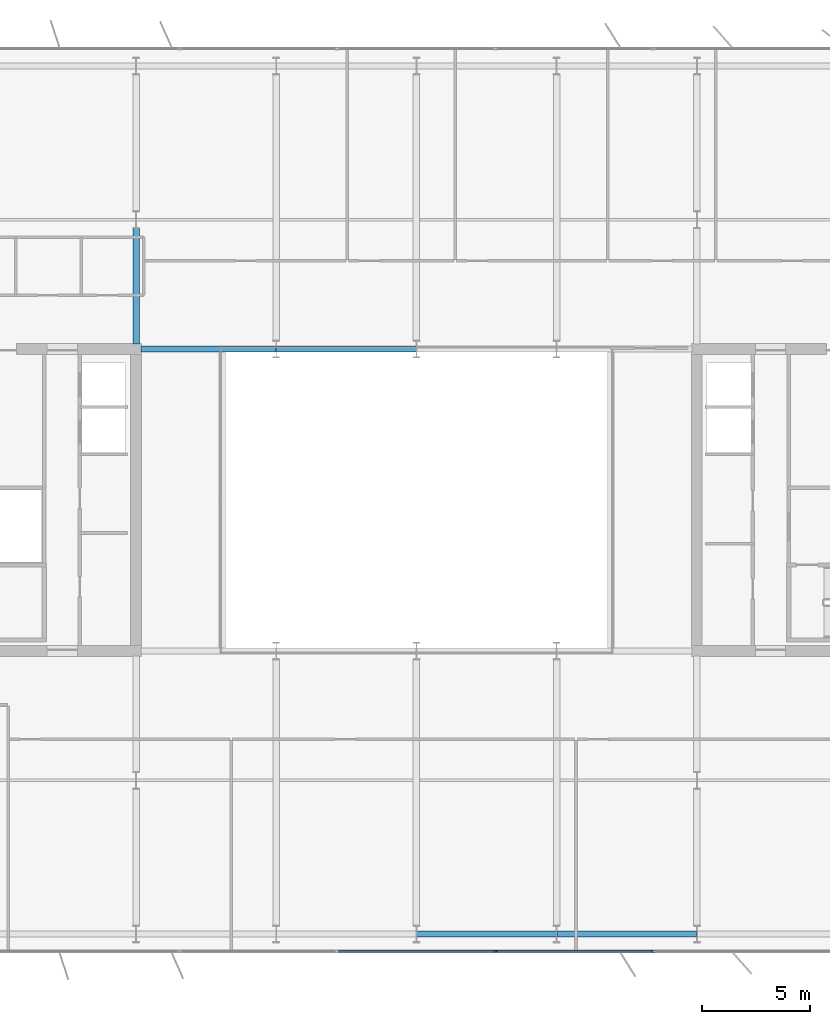
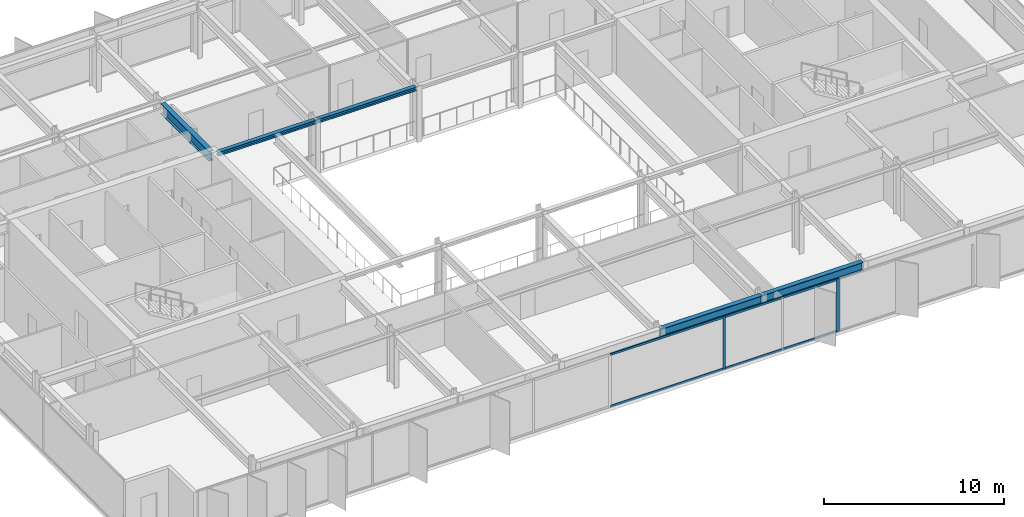
# One storey, part 6 of 23: 6 members, 5 beams, 1 element without a shape of its own.
"""IFC4 building model written with IfcOpenShell, lengths in metres."""

from ifc_helpers import new_model, si_unit, direction, frame, origin, origin_2d, place, context, subcontext, project, spatial, rectangle, i_section, extrude, material, layer, layer_set, material_profile, profile_set, type_object, element, aggregate, save


model = new_model("IFC4")

# Units and contexts
model_context = context("Model", 3, precision=1e-05, world=origin(), true_north=direction((0.0, 1.0)))
body_context = subcontext(model_context, "Body", "Model", "MODEL_VIEW")
ifc_project = project(units=[si_unit("LENGTHUNIT", "METRE"), si_unit("AREAUNIT", "SQUARE_METRE"), si_unit("VOLUMEUNIT", "CUBIC_METRE"), si_unit("PLANEANGLEUNIT", "RADIAN"), si_unit("MASSUNIT", "GRAM", prefix="KILO")], contexts=[model_context])

# Site, building, storey
site_placement = place(None, origin())
site = spatial("IfcSite", under=ifc_project, at=site_placement, CompositionType="ELEMENT")
building_placement = place(site_placement, origin())
building = spatial("IfcBuilding", under=site, at=building_placement, Name="Putna Gate Headquarters", CompositionType="ELEMENT")
storey_placement = place(building_placement, frame((0.0, 0.0, 225.199951171875)))
storey = spatial("IfcBuildingStorey", under=building, at=storey_placement, Name="L56", CompositionType="ELEMENT", Elevation=225.199951171875)

# Beams
ifc_material_1 = material(Name="Steel S355J2", Category="steel")
ifc_material_profile_1 = material_profile(ifc_material_1, i_section(OverallWidth=0.260009765625, OverallDepth=0.260009765625, WebThickness=0.010009765625, FlangeThickness=0.017578125, at=origin_2d()), Name="Steel S355J2")
ifc_profile_set_1 = profile_set([ifc_material_profile_1], Name="Steel S355J2")
beam_type_1 = type_object("IfcBeamType", Name="BM-ATRIUM-HEB260", PredefinedType="BEAM", material=ifc_profile_set_1)
beam_1_placement = place(storey_placement, frame((26.235107421875, 33.0, 3.449951171875), z_axis=(1.0, 0.0, 0.0), x_axis=(0.0, 1.0, 0.0)))
element("IfcBeam", 1, at=beam_1_placement, inside=storey, type_object=beam_type_1, Name="L56 Atrium Edge Beam AN1", PredefinedType="BEAM", context=body_context, shape_type="SweptSolid", body=[
    extrude(i_section(OverallWidth=0.260009765625, OverallDepth=0.260009765625, WebThickness=0.010009765625, FlangeThickness=0.017578125, at=origin_2d()), origin(), (0.0, 0.0, 1.0), 6.2587890625),
])
beam_2_placement = place(storey_placement, frame((32.506103515625, 33.0, 3.449951171875), z_axis=(1.0, 0.0, 0.0), x_axis=(0.0, 1.0, 0.0)))
element("IfcBeam", 2, at=beam_2_placement, inside=storey, type_object=beam_type_1, Name="L56 Atrium Edge Beam AN2", PredefinedType="BEAM", context=body_context, shape_type="SweptSolid", body=[
    extrude(i_section(OverallWidth=0.260009765625, OverallDepth=0.260009765625, WebThickness=0.010009765625, FlangeThickness=0.017578125, at=origin_2d()), origin(), (0.0, 0.0, 1.0), 6.48779296875),
])
ifc_material_profile_2 = material_profile(ifc_material_1, i_section(OverallWidth=0.300048828125, OverallDepth=0.699951171875, WebThickness=0.01708984375, FlangeThickness=0.031982421875, at=origin_2d()), Name="Steel S355J2")
ifc_profile_set_2 = profile_set([ifc_material_profile_2], Name="Steel S355J2")
beam_type_2 = type_object("IfcBeamType", Name="BM-GIRD-B-HEB700", PredefinedType="USERDEFINED", material=ifc_profile_set_2)
beam_3_placement = place(storey_placement, frame((26.0, 33.235107421875, 3.22998046875), z_axis=(0.0, 1.0, 0.0), x_axis=(-1.0, 0.0, 0.0)))
element("IfcBeam", 3, at=beam_3_placement, inside=storey, type_object=beam_type_2, Name="L56 North Primary Girder X26-1", ObjectType="GIRDER", PredefinedType="USERDEFINED", context=body_context, shape_type="SweptSolid", body=[
    extrude(i_section(OverallWidth=0.300048828125, OverallDepth=0.699951171875, WebThickness=0.01708984375, FlangeThickness=0.031982421875, at=origin_2d()), origin(), (0.0, 0.0, 1.0), 5.369873046875),
])
ifc_material_profile_3 = material_profile(ifc_material_1, i_section(OverallWidth=0.300048828125, OverallDepth=0.590087890625, WebThickness=0.012939453125, FlangeThickness=0.02490234375, at=origin_2d()), Name="Steel S355J2")
ifc_profile_set_3 = profile_set([ifc_material_profile_3], Name="Steel S355J2")
beam_type_3 = type_object("IfcBeamType", Name="BM-SPAN-Z4-HEA600", PredefinedType="SPANDREL", material=ifc_profile_set_3)
for number, where, z_axis, x_axis, name in (
    (4, (39.006103515625, 5.8798828125, 3.28515625), (1.0, 0.0, 0.0), (0.0, 1.0, 0.0), "L56 S Perimeter Spandrel 5"),
    (5, (45.506103515625, 5.8798828125, 3.28515625), (1.0, 0.0, 0.0), (0.0, 1.0, 0.0), "L56 S Perimeter Spandrel 6"),
):
    element("IfcBeam", number, at=place(storey_placement, frame(where, z_axis=z_axis, x_axis=x_axis)), inside=storey, type_object=beam_type_3, Name=name, PredefinedType="SPANDREL", context=body_context, shape_type="SweptSolid", body=[
        extrude(i_section(OverallWidth=0.300048828125, OverallDepth=0.590087890625, WebThickness=0.012939453125, FlangeThickness=0.02490234375, at=origin_2d()), origin(), (0.0, 0.0, 1.0), 6.48779296875),
    ])

# Curtain wall, members
ifc_material_2 = material(Name="Anodised bronze aluminium curtain wall", Category="aluminium")
ifc_layer = layer(ifc_material_2, 0.179931640625)
ifc_layer_set = layer_set([ifc_layer], Name="Anodised bronze aluminium curtain wall")
curtain_wall_type = type_object("IfcCurtainWallType", Name="CW-SYS-ATR", PredefinedType="USERDEFINED", material=ifc_layer_set)
curtain_wall_placement = place(storey_placement, origin())
curtain_wall = element("IfcCurtainWall", 6, at=curtain_wall_placement, inside=storey, type_object=curtain_wall_type, Name="L56 South Atrium Clear Glazing", ObjectType="ATRIUM GLAZING", PredefinedType="USERDEFINED")
ifc_material_3 = material(Name="Anodised bronze aluminium EN AW-6060", Category="aluminium")
ifc_material_profile_4 = material_profile(ifc_material_3, rectangle(XDim=0.070068359375, YDim=0.179931640625, at=origin_2d()), Name="Anodised bronze aluminium EN AW-6060")
ifc_profile_set_4 = profile_set([ifc_material_profile_4], Name="Anodised bronze aluminium EN AW-6060")
member_type_1 = type_object("IfcMemberType", Name="MULL-CWM-AT", PredefinedType="MULLION", material=ifc_profile_set_4)
member_1_placement = place(storey_placement, frame((42.666748046875, 5.080078125, 0.0), z_axis=(0.0, 0.0, 1.0), x_axis=(0.0, 1.0, 0.0)))
member_1 = element("IfcMember", 7, at=member_1_placement, type_object=member_type_1, Name="CWS-AT mullion 3", PredefinedType="MULLION", context=body_context, shape_type="SweptSolid", body=[
    extrude(rectangle(XDim=0.070068359375, YDim=0.179931640625, at=origin_2d()), origin(), (0.0, 0.0, 1.0), 3.580078125),
])
member_2_placement = place(storey_placement, frame((49.965087890625, 5.080078125, 0.0), z_axis=(0.0, 0.0, 1.0), x_axis=(0.0, 1.0, 0.0)))
member_2 = element("IfcMember", 8, at=member_2_placement, type_object=member_type_1, Name="CWS-AT mullion 4", PredefinedType="MULLION", context=body_context, shape_type="SweptSolid", body=[
    extrude(rectangle(XDim=0.070068359375, YDim=0.179931640625, at=origin_2d()), origin(), (0.0, 0.0, 1.0), 3.580078125),
])
ifc_material_profile_5 = material_profile(ifc_material_3, rectangle(XDim=0.070068359375, YDim=0.139892578125, at=origin_2d()), Name="Anodised bronze aluminium EN AW-6060")
ifc_profile_set_5 = profile_set([ifc_material_profile_5], Name="Anodised bronze aluminium EN AW-6060")
member_type_2 = type_object("IfcMemberType", Name="TRAN-CWT-AT", PredefinedType="USERDEFINED", material=ifc_profile_set_5)
member_3_placement = place(storey_placement, frame((35.368408203125, 5.080078125, 0.03515625), z_axis=(1.0, 0.0, 0.0), x_axis=(0.0, 1.0, 0.0)))
member_3 = element("IfcMember", 9, at=member_3_placement, type_object=member_type_2, Name="CWS-AT transom 2.1", ObjectType="TRANSOM", PredefinedType="USERDEFINED", context=body_context, shape_type="SweptSolid", body=[
    extrude(rectangle(XDim=0.070068359375, YDim=0.139892578125, at=origin_2d()), origin(), (0.0, 0.0, 1.0), 7.26318359375),
])
member_4_placement = place(storey_placement, frame((35.368408203125, 5.080078125, 3.545166015625), z_axis=(1.0, 0.0, 0.0), x_axis=(0.0, 1.0, 0.0)))
member_4 = element("IfcMember", 10, at=member_4_placement, type_object=member_type_2, Name="CWS-AT transom 2.2", ObjectType="TRANSOM", PredefinedType="USERDEFINED", context=body_context, shape_type="SweptSolid", body=[
    extrude(rectangle(XDim=0.070068359375, YDim=0.139892578125, at=origin_2d()), origin(), (0.0, 0.0, 1.0), 7.26318359375),
])
member_5_placement = place(storey_placement, frame((42.70166015625, 5.080078125, 0.03515625), z_axis=(1.0, 0.0, 0.0), x_axis=(0.0, 1.0, 0.0)))
member_5 = element("IfcMember", 11, at=member_5_placement, type_object=member_type_2, Name="CWS-AT transom 3.1", ObjectType="TRANSOM", PredefinedType="USERDEFINED", context=body_context, shape_type="SweptSolid", body=[
    extrude(rectangle(XDim=0.070068359375, YDim=0.139892578125, at=origin_2d()), origin(), (0.0, 0.0, 1.0), 7.228271484375),
])
member_6_placement = place(storey_placement, frame((42.70166015625, 5.080078125, 3.545166015625), z_axis=(1.0, 0.0, 0.0), x_axis=(0.0, 1.0, 0.0)))
member_6 = element("IfcMember", 12, at=member_6_placement, type_object=member_type_2, Name="CWS-AT transom 3.2", ObjectType="TRANSOM", PredefinedType="USERDEFINED", context=body_context, shape_type="SweptSolid", body=[
    extrude(rectangle(XDim=0.070068359375, YDim=0.139892578125, at=origin_2d()), origin(), (0.0, 0.0, 1.0), 7.228271484375),
])
aggregate(curtain_wall, [member_1, member_2, member_3, member_4, member_5, member_6])

save(model, "model.ifc")
